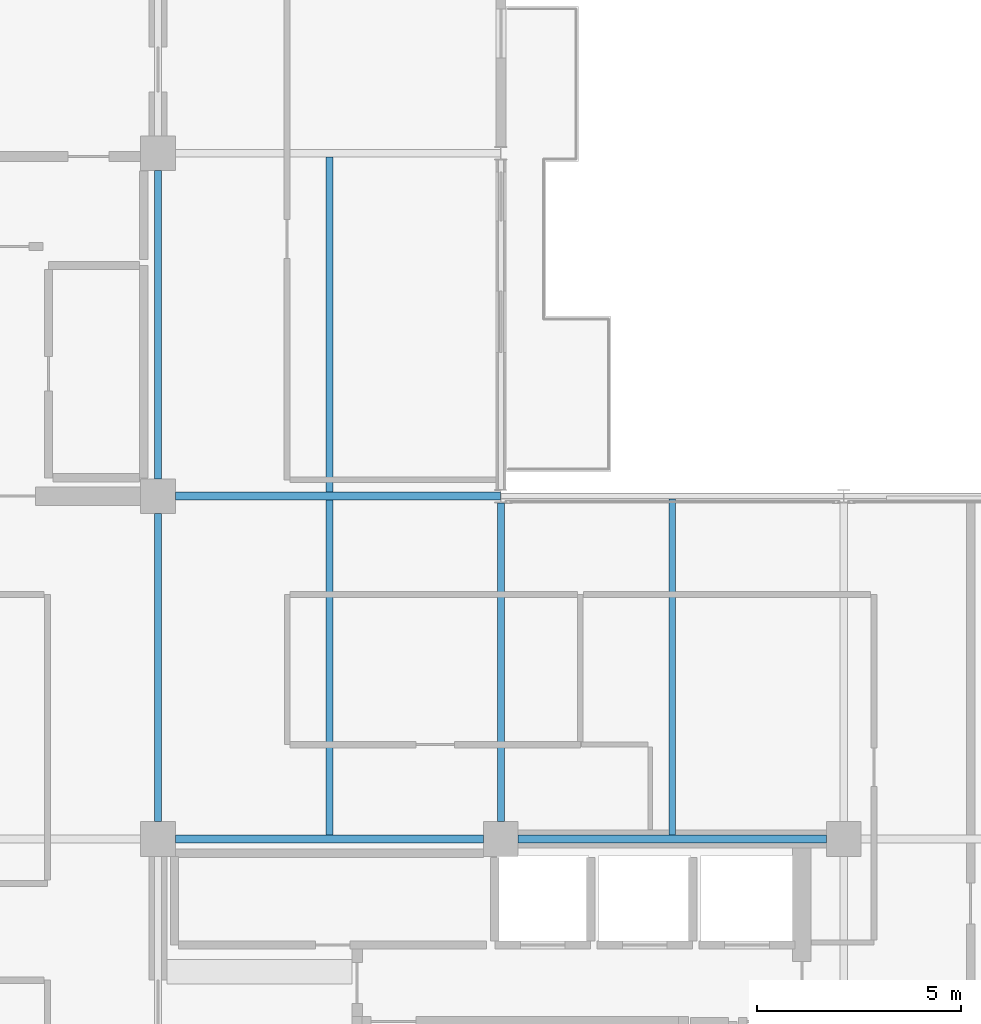
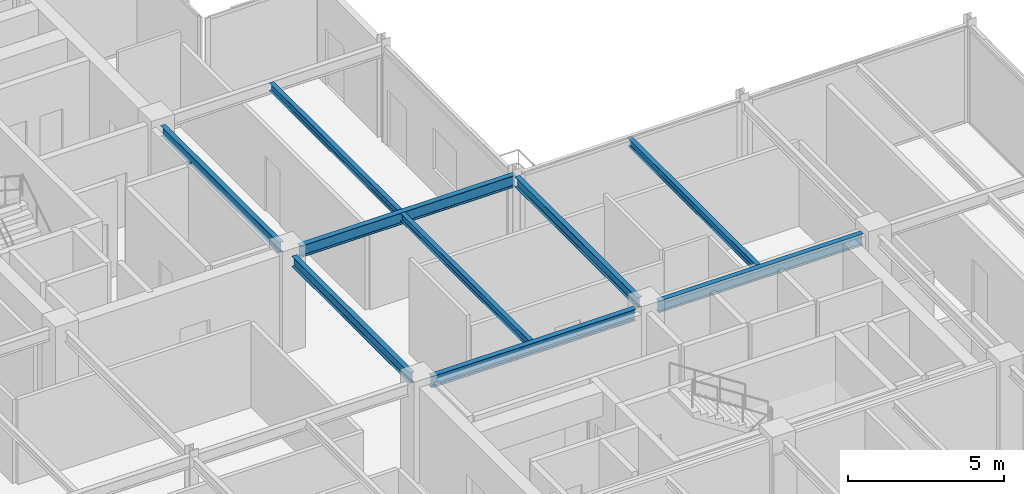
# One storey, part 12 of 26: 9 beams.
"""IFC4 building model written with IfcOpenShell, lengths in metres."""

from ifc_helpers import new_model, si_unit, direction, frame, origin, origin_2d, place, context, subcontext, project, spatial, i_section, extrude, material, material_profile, profile_set, type_object, element, save


model = new_model("IFC4")

# Units and contexts
model_context = context("Model", 3, precision=1e-05, world=origin(), true_north=direction((0.0, 1.0)))
body_context = subcontext(model_context, "Body", "Model", "MODEL_VIEW")
ifc_project = project(units=[si_unit("LENGTHUNIT", "METRE"), si_unit("AREAUNIT", "SQUARE_METRE"), si_unit("VOLUMEUNIT", "CUBIC_METRE"), si_unit("PLANEANGLEUNIT", "RADIAN"), si_unit("MASSUNIT", "GRAM", prefix="KILO")], contexts=[model_context])

# Site, building, storey
site_placement = place(None, origin())
site = spatial("IfcSite", under=ifc_project, at=site_placement, CompositionType="ELEMENT")
building_placement = place(site_placement, origin())
building = spatial("IfcBuilding", under=site, at=building_placement, Name="Nerrivon Quay Data Exchange", CompositionType="ELEMENT")
storey_placement = place(building_placement, frame((0.0, 0.0, 262.199951171875)))
storey = spatial("IfcBuildingStorey", under=building, at=storey_placement, Name="L62", CompositionType="ELEMENT", Elevation=262.199951171875)

# Beams
ifc_material = material(Name="Steel Grade 350", Category="steel")
ifc_material_profile_1 = material_profile(ifc_material, i_section(OverallWidth=0.18994140625, OverallDepth=0.4541015625, WebThickness=0.008544921875, FlangeThickness=0.0126953125, FilletRadius=0.011474609375, at=origin_2d()), Name="460UB67.1")
ifc_profile_set_1 = profile_set([ifc_material_profile_1], Name="Steel Grade 350")
beam_type_1 = type_object("IfcBeamType", Name="BM-G6-460UB67", PredefinedType="BEAM", material=ifc_profile_set_1)
beam_1_placement = place(storey_placement, frame((17.22509765625, 16.800048828125, 3.498046875), z_axis=(1.0, 0.0, 0.0), x_axis=(0.0, 1.0, 0.0)))
element("IfcBeam", 1, at=beam_1_placement, inside=storey, type_object=beam_type_1, Name="L62 EW Girder Y=16.8 (16.8..25.2)", PredefinedType="BEAM", context=body_context, shape_type="SweptSolid", body=[
    extrude(i_section(OverallWidth=0.18994140625, OverallDepth=0.4541015625, WebThickness=0.008544921875, FlangeThickness=0.0126953125, FilletRadius=0.011474609375, at=origin_2d()), origin(), (0.0, 0.0, 1.0), 7.5498046875),
])
beam_2_placement = place(storey_placement, frame((25.625, 16.800048828125, 3.498046875), z_axis=(1.0, 0.0, 0.0), x_axis=(0.0, 1.0, 0.0)))
element("IfcBeam", 2, at=beam_2_placement, inside=storey, type_object=beam_type_1, Name="L62 EW Girder Y=16.8 (25.2..33.6)", PredefinedType="BEAM", context=body_context, shape_type="SweptSolid", body=[
    extrude(i_section(OverallWidth=0.18994140625, OverallDepth=0.4541015625, WebThickness=0.008544921875, FlangeThickness=0.0126953125, FilletRadius=0.011474609375, at=origin_2d()), origin(), (0.0, 0.0, 1.0), 7.550048828125),
])
beam_3_placement = place(storey_placement, frame((17.22509765625, 25.199951171875, 3.498046875), z_axis=(1.0, 0.0, 0.0), x_axis=(0.0, 1.0, 0.0)))
element("IfcBeam", 3, at=beam_3_placement, inside=storey, type_object=beam_type_1, Name="L62 EW Girder Y=25.2 (16.8..25.2)", PredefinedType="BEAM", context=body_context, shape_type="SweptSolid", body=[
    extrude(i_section(OverallWidth=0.18994140625, OverallDepth=0.4541015625, WebThickness=0.008544921875, FlangeThickness=0.0126953125, FilletRadius=0.011474609375, at=origin_2d()), origin(), (0.0, 0.0, 1.0), 7.967041015625),
])
ifc_material_profile_2 = material_profile(ifc_material, i_section(OverallWidth=0.177978515625, OverallDepth=0.406005859375, WebThickness=0.0078125, FlangeThickness=0.0126953125, FilletRadius=0.011474609375, at=origin_2d()), Name="410UB59.7")
ifc_profile_set_2 = profile_set([ifc_material_profile_2], Name="Steel Grade 350")
beam_type_2 = type_object("IfcBeamType", Name="BM-J1-410UB60", PredefinedType="JOIST", material=ifc_profile_set_2)
beam_4_placement = place(storey_placement, frame((16.800048828125, 17.22509765625, 3.52197265625), z_axis=(0.0, 1.0, 0.0), x_axis=(-1.0, 0.0, 0.0)))
element("IfcBeam", 4, at=beam_4_placement, inside=storey, type_object=beam_type_2, Name="L62 NS Girder X=16.8 (16.8..25.2)", PredefinedType="JOIST", context=body_context, shape_type="SweptSolid", body=[
    extrude(i_section(OverallWidth=0.177978515625, OverallDepth=0.406005859375, WebThickness=0.0078125, FlangeThickness=0.0126953125, FilletRadius=0.011474609375, at=origin_2d()), origin(), (0.0, 0.0, 1.0), 7.5498046875),
])
beam_5_placement = place(storey_placement, frame((16.800048828125, 25.625, 3.52197265625), z_axis=(0.0, 1.0, 0.0), x_axis=(-1.0, 0.0, 0.0)))
element("IfcBeam", 5, at=beam_5_placement, inside=storey, type_object=beam_type_2, Name="L62 NS Girder X=16.8 (25.2..33.6)", PredefinedType="JOIST", context=body_context, shape_type="SweptSolid", body=[
    extrude(i_section(OverallWidth=0.177978515625, OverallDepth=0.406005859375, WebThickness=0.0078125, FlangeThickness=0.0126953125, FilletRadius=0.011474609375, at=origin_2d()), origin(), (0.0, 0.0, 1.0), 7.550048828125),
])
beam_6_placement = place(storey_placement, frame((25.199951171875, 17.22509765625, 3.52197265625), z_axis=(0.0, 1.0, 0.0), x_axis=(-1.0, 0.0, 0.0)))
element("IfcBeam", 6, at=beam_6_placement, inside=storey, type_object=beam_type_2, Name="L62 NS Girder X=25.2 (16.8..25.2)", PredefinedType="JOIST", context=body_context, shape_type="SweptSolid", body=[
    extrude(i_section(OverallWidth=0.177978515625, OverallDepth=0.406005859375, WebThickness=0.0078125, FlangeThickness=0.0126953125, FilletRadius=0.011474609375, at=origin_2d()), origin(), (0.0, 0.0, 1.0), 7.8115234375),
])
ifc_material_profile_3 = material_profile(ifc_material, i_section(OverallWidth=0.1650390625, OverallDepth=0.303955078125, WebThickness=0.006103515625, FlangeThickness=0.01025390625, FilletRadius=0.011474609375, at=origin_2d()), Name="310UB40.4")
ifc_profile_set_3 = profile_set([ifc_material_profile_3], Name="Steel Grade 350")
beam_type_3 = type_object("IfcBeamType", Name="BM-J6-310UB40", PredefinedType="JOIST", material=ifc_profile_set_3)
for number, where, z_axis, x_axis, name in (
    (7, (21.0, 16.89501953125, 3.572998046875), (0.0, 1.0, 0.0), (-1.0, 0.0, 0.0), "L62 Secondary Joist X=21.0 (16.8..25.2)"),
    (8, (21.0, 25.294921875, 3.572998046875), (0.0, 1.0, 0.0), (-1.0, 0.0, 0.0), "L62 Secondary Joist X=21.0 (25.2..33.6)"),
):
    element("IfcBeam", number, at=place(storey_placement, frame(where, z_axis=z_axis, x_axis=x_axis)), inside=storey, type_object=beam_type_3, Name=name, PredefinedType="JOIST", context=body_context, shape_type="SweptSolid", body=[
        extrude(i_section(OverallWidth=0.1650390625, OverallDepth=0.303955078125, WebThickness=0.006103515625, FlangeThickness=0.01025390625, FilletRadius=0.011474609375, at=origin_2d()), origin(), (0.0, 0.0, 1.0), 8.2099609375),
    ])
beam_7_placement = place(storey_placement, frame((29.39990234375, 16.89501953125, 3.572998046875), z_axis=(0.0, 1.0, 0.0), x_axis=(-1.0, 0.0, 0.0)))
element("IfcBeam", 9, at=beam_7_placement, inside=storey, type_object=beam_type_3, Name="L62 Secondary Joist X=29.4 (16.8..25.2)", PredefinedType="JOIST", context=body_context, shape_type="SweptSolid", body=[
    extrude(i_section(OverallWidth=0.1650390625, OverallDepth=0.303955078125, WebThickness=0.006103515625, FlangeThickness=0.01025390625, FilletRadius=0.011474609375, at=origin_2d()), origin(), (0.0, 0.0, 1.0), 8.22998046875),
])

save(model, "model.ifc")
